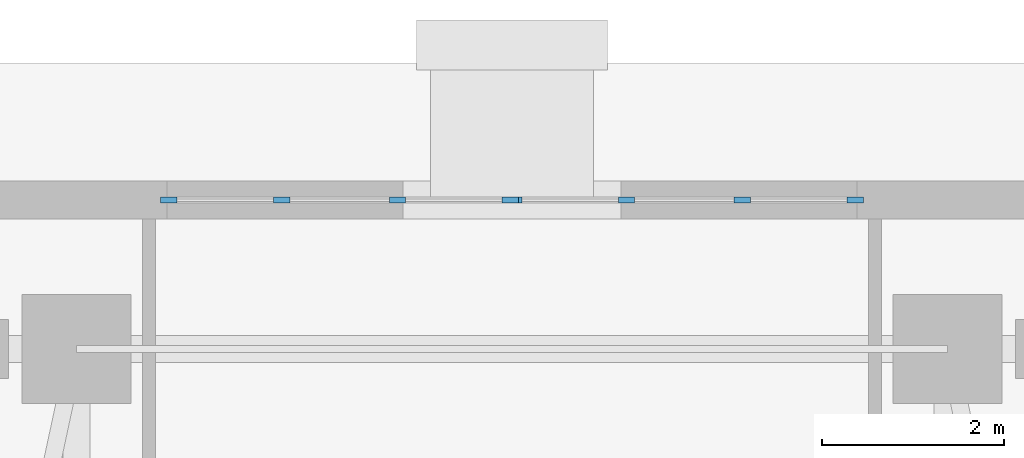
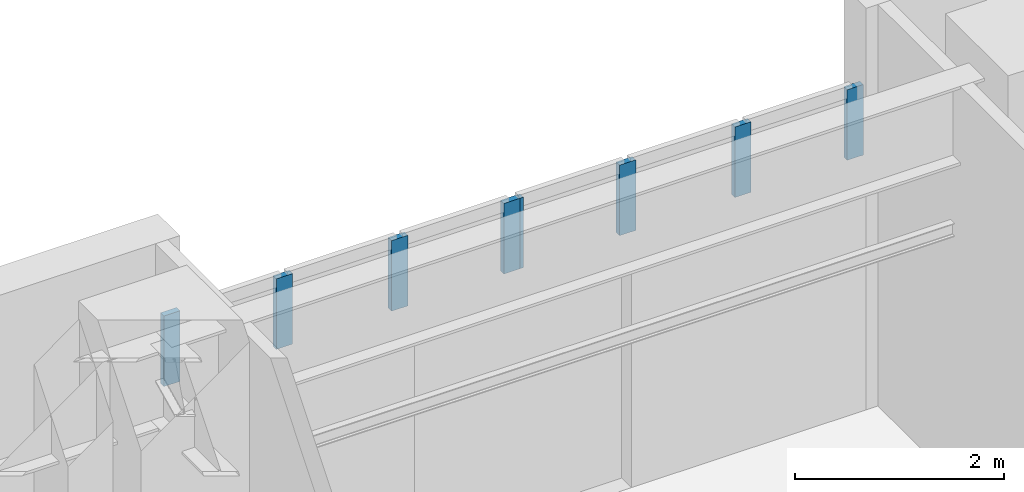
# One storey, part 7 of 21: 8 members, 2 elements without a shape of their own.
"""IFC4 building model written with IfcOpenShell, lengths in metres."""

from ifc_helpers import new_model, si_unit, direction, frame, origin, origin_2d, place, context, subcontext, project, spatial, rectangle, extrude, material, layer, layer_set, material_profile, profile_set, type_object, element, aggregate, save


model = new_model("IFC4")

# Units and contexts
model_context = context("Model", 3, precision=1e-05, world=origin(), true_north=direction((0.0, 1.0)))
body_context = subcontext(model_context, "Body", "Model", "MODEL_VIEW")
ifc_project = project(units=[si_unit("LENGTHUNIT", "METRE"), si_unit("AREAUNIT", "SQUARE_METRE"), si_unit("VOLUMEUNIT", "CUBIC_METRE"), si_unit("PLANEANGLEUNIT", "RADIAN"), si_unit("MASSUNIT", "GRAM", prefix="KILO")], contexts=[model_context])

# Site, building, storey
site_placement = place(None, origin())
site = spatial("IfcSite", under=ifc_project, at=site_placement, CompositionType="ELEMENT")
building_placement = place(site_placement, origin())
building = spatial("IfcBuilding", under=site, at=building_placement, Name="Cairnveth Concourse Tower", CompositionType="ELEMENT")
storey_placement = place(building_placement, origin())
storey = spatial("IfcBuildingStorey", under=building, at=storey_placement, Name="L00", CompositionType="ELEMENT", Elevation=0.0)

# Curtain wall, members
ifc_material = material(Name="Architectural Bronze Anodised Aluminium 6063-T6", Category="aluminium")
ifc_layer = layer(ifc_material, 0.360107421875)
ifc_layer_set = layer_set([ifc_layer], Name="Architectural Bronze Anodised Aluminium 6063-T6")
curtain_wall_type = type_object("IfcCurtainWallType", Name="CONCOURSE GALLERIA PORTAL CURTAIN WALL", PredefinedType="USERDEFINED", material=ifc_layer_set)
curtain_wall_1_placement = place(storey_placement, origin())
curtain_wall_1 = element("IfcCurtainWall", 1, at=curtain_wall_1_placement, inside=storey, type_object=curtain_wall_type, Name="Curtain Wall CW-L00-N-PORTAL1", ObjectType="UNITISED FACADE", PredefinedType="USERDEFINED")
ifc_material_profile = material_profile(ifc_material, rectangle(XDim=0.06494140625, YDim=0.179931640625, at=origin_2d()), Name="AL-MUL-65x180")
ifc_profile_set = profile_set([ifc_material_profile], Name="Architectural Bronze Anodised Aluminium 6063-T6")
member_type = type_object("IfcMemberType", Name="BRONZE CURTAIN WALL MULLION AL-MUL-65x180", PredefinedType="MULLION", material=ifc_profile_set)
member_1_placement = place(storey_placement, frame((48.217529296875, 65.7900390625, 2.85009765625), z_axis=(0.0, 0.0, 1.0), x_axis=(0.0, 1.0, 0.0)))
member_1 = element("IfcMember", 2, at=member_1_placement, type_object=member_type, Name="CWS1 mullion 1", PredefinedType="MULLION", context=body_context, shape_type="SweptSolid", body=[
    extrude(rectangle(XDim=0.06494140625, YDim=0.179931640625, at=origin_2d()), origin(), (0.0, 0.0, 1.0), 0.825927734375),
])
member_2_placement = place(storey_placement, frame((49.461669921875, 65.7900390625, 2.85009765625), z_axis=(0.0, 0.0, 1.0), x_axis=(0.0, 1.0, 0.0)))
member_2 = element("IfcMember", 3, at=member_2_placement, type_object=member_type, Name="CWS1 mullion 2", PredefinedType="MULLION", context=body_context, shape_type="SweptSolid", body=[
    extrude(rectangle(XDim=0.06494140625, YDim=0.179931640625, at=origin_2d()), origin(), (0.0, 0.0, 1.0), 0.825927734375),
])
member_3_placement = place(storey_placement, frame((50.73828125, 65.7900390625, 2.85009765625), z_axis=(0.0, 0.0, 1.0), x_axis=(0.0, 1.0, 0.0)))
member_3 = element("IfcMember", 4, at=member_3_placement, type_object=member_type, Name="CWS1 mullion 3", PredefinedType="MULLION", context=body_context, shape_type="SweptSolid", body=[
    extrude(rectangle(XDim=0.06494140625, YDim=0.179931640625, at=origin_2d()), origin(), (0.0, 0.0, 1.0), 0.825927734375),
])
member_4_placement = place(storey_placement, frame((51.982421875, 65.7900390625, 2.85009765625), z_axis=(0.0, 0.0, 1.0), x_axis=(0.0, 1.0, 0.0)))
member_4 = element("IfcMember", 5, at=member_4_placement, type_object=member_type, Name="CWS1 mullion 4", PredefinedType="MULLION", context=body_context, shape_type="SweptSolid", body=[
    extrude(rectangle(XDim=0.06494140625, YDim=0.179931640625, at=origin_2d()), origin(), (0.0, 0.0, 1.0), 0.825927734375),
])
aggregate(curtain_wall_1, [member_1, member_2, member_3, member_4])

curtain_wall_2_placement = place(storey_placement, origin())
curtain_wall_2 = element("IfcCurtainWall", 6, at=curtain_wall_2_placement, inside=storey, type_object=curtain_wall_type, Name="Curtain Wall CW-L00-N-PORTAL2", ObjectType="UNITISED FACADE", PredefinedType="USERDEFINED")
member_5_placement = place(storey_placement, frame((52.017578125, 65.7900390625, 2.85009765625), z_axis=(0.0, 0.0, 1.0), x_axis=(0.0, 1.0, 0.0)))
member_5 = element("IfcMember", 7, at=member_5_placement, type_object=member_type, Name="CWS1 mullion 1", PredefinedType="MULLION", context=body_context, shape_type="SweptSolid", body=[
    extrude(rectangle(XDim=0.06494140625, YDim=0.179931640625, at=origin_2d()), origin(), (0.0, 0.0, 1.0), 0.825927734375),
])
member_6_placement = place(storey_placement, frame((53.26171875, 65.7900390625, 2.85009765625), z_axis=(0.0, 0.0, 1.0), x_axis=(0.0, 1.0, 0.0)))
member_6 = element("IfcMember", 8, at=member_6_placement, type_object=member_type, Name="CWS1 mullion 2", PredefinedType="MULLION", context=body_context, shape_type="SweptSolid", body=[
    extrude(rectangle(XDim=0.06494140625, YDim=0.179931640625, at=origin_2d()), origin(), (0.0, 0.0, 1.0), 0.825927734375),
])
member_7_placement = place(storey_placement, frame((54.538330078125, 65.7900390625, 2.85009765625), z_axis=(0.0, 0.0, 1.0), x_axis=(0.0, 1.0, 0.0)))
member_7 = element("IfcMember", 9, at=member_7_placement, type_object=member_type, Name="CWS1 mullion 3", PredefinedType="MULLION", context=body_context, shape_type="SweptSolid", body=[
    extrude(rectangle(XDim=0.06494140625, YDim=0.179931640625, at=origin_2d()), origin(), (0.0, 0.0, 1.0), 0.825927734375),
])
member_8_placement = place(storey_placement, frame((55.782470703125, 65.7900390625, 2.85009765625), z_axis=(0.0, 0.0, 1.0), x_axis=(0.0, 1.0, 0.0)))
member_8 = element("IfcMember", 10, at=member_8_placement, type_object=member_type, Name="CWS1 mullion 4", PredefinedType="MULLION", context=body_context, shape_type="SweptSolid", body=[
    extrude(rectangle(XDim=0.06494140625, YDim=0.179931640625, at=origin_2d()), origin(), (0.0, 0.0, 1.0), 0.825927734375),
])
aggregate(curtain_wall_2, [member_5, member_6, member_7, member_8])

save(model, "model.ifc")
